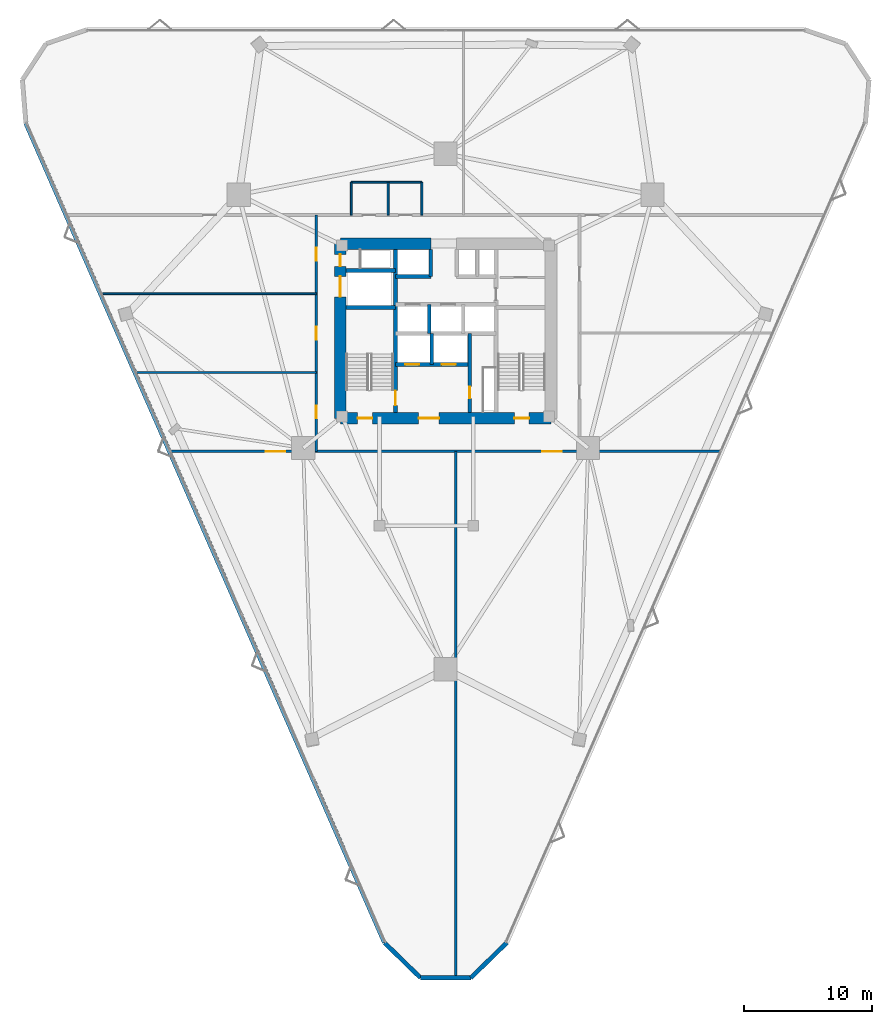
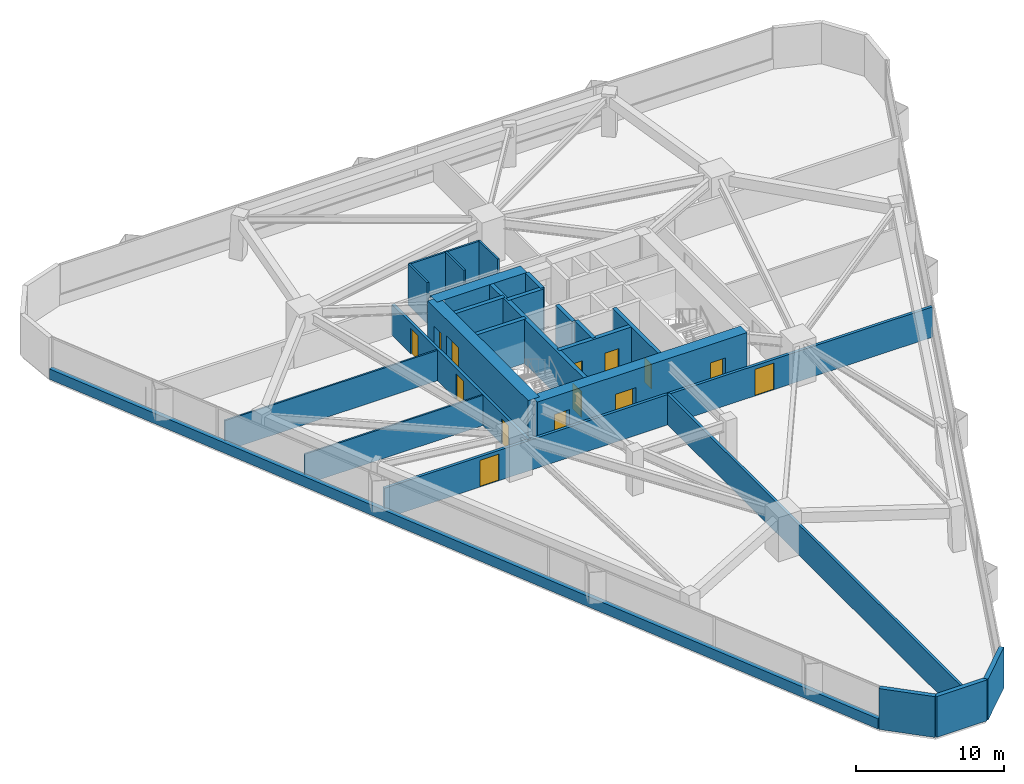
# One storey, part 17 of 20: 25 walls, 14 doors, 14 openings.
"""IFC4 building model written with IfcOpenShell, lengths in metres."""

from ifc_helpers import new_model, si_unit, direction, frame, frame_2d, origin, place, context, subcontext, project, spatial, rectangle, extrude, material, layer, layer_set, type_object, element, fill, save


model = new_model("IFC4")

# Units and contexts
model_context = context("Model", 3, precision=1e-05, world=origin(), true_north=direction((0.0, 1.0)))
body_context = subcontext(model_context, "Body", "Model", "MODEL_VIEW")
ifc_project = project(units=[si_unit("LENGTHUNIT", "METRE"), si_unit("AREAUNIT", "SQUARE_METRE"), si_unit("VOLUMEUNIT", "CUBIC_METRE"), si_unit("PLANEANGLEUNIT", "RADIAN"), si_unit("MASSUNIT", "GRAM", prefix="KILO")], contexts=[model_context])

# Site, building, storey
site_placement = place(None, origin())
site = spatial("IfcSite", under=ifc_project, at=site_placement, CompositionType="ELEMENT")
building_placement = place(site_placement, origin())
building = spatial("IfcBuilding", under=site, at=building_placement, Name="Talyreon Biosciences Tower", CompositionType="ELEMENT")
storey_placement = place(building_placement, frame((0.0, 0.0, 59.300048828125)))
storey = spatial("IfcBuildingStorey", under=building, at=storey_placement, Name="L15", CompositionType="ELEMENT", Elevation=59.300048828125)

# Walls
ifc_material_1 = material(Name="Gypsum fireboard acoustic stud", Category="gypsum")
ifc_layer_1 = layer(ifc_material_1, 0.199951171875)
ifc_layer_set_1 = layer_set([ifc_layer_1], Name="Gypsum fireboard acoustic stud")
wall_type_1 = type_object("IfcWallType", Name="ChemControlPartition_200", PredefinedType="PARTITIONING", material=ifc_layer_set_1)
wall_1_placement = place(storey_placement, frame((66.800048828125, 17.7431640625, 0.0), z_axis=(0.0, 0.0, 1.0), x_axis=(0.0, 1.0, 0.0)))
element("IfcWall", 1, at=wall_1_placement, inside=storey, type_object=wall_type_1, Name="L15 Interior Wall IW-L15-SDIV1", PredefinedType="PARTITIONING", context=body_context, shape_type="SweptSolid", body=[
    extrude(rectangle(XDim=40.88671875, YDim=0.199951171875, at=frame_2d((20.443359375, 0.0))), origin(), (0.0, 0.0, 1.0), 2.5048828125),
])
ifc_material_2 = material(Name="Concrete C50/60", Category="concrete")
ifc_layer_2 = layer(ifc_material_2, 0.280029296875)
ifc_layer_set_2 = layer_set([ifc_layer_2], Name="Concrete C50/60")
wall_type_2 = type_object("IfcWallType", Name="CoreShearWall_280", PredefinedType="SHEAR", material=ifc_layer_set_2)
wall_2_placement = place(storey_placement, frame((64.919921875, 65.39990234375, 0.0), z_axis=(0.0, 0.0, 1.0), x_axis=(0.0, 1.0, 0.0)))
element("IfcWall", 2, at=wall_2_placement, inside=storey, type_object=wall_type_2, Name="L15 Core Shaft Wall SWSHD1", PredefinedType="SHEAR", context=body_context, shape_type="SweptSolid", body=[
    extrude(rectangle(XDim=2.400146484375, YDim=0.280029296875, at=frame_2d((1.2001953125, 0.0))), origin(), (0.0, 0.0, 1.0), 3.64990234375),
])
wall_3_placement = place(storey_placement, frame((64.85009765625, 72.25, 0.0), z_axis=(0.0, 0.0, 1.0), x_axis=(0.0, 1.0, 0.0)))
element("IfcWall", 3, at=wall_3_placement, inside=storey, type_object=wall_type_2, Name="L15 Core Shaft Wall SWTHW", PredefinedType="SHEAR", context=body_context, shape_type="SweptSolid", body=[
    extrude(rectangle(XDim=2.10009765625, YDim=0.280029296875, at=frame_2d((1.050048828125, 0.0))), origin(), (0.0, 0.0, 1.0), 3.64990234375),
])

# Wall, opening, door
wall_4_placement = place(storey_placement, frame((67.8798828125, 61.64990234375, 0.0), z_axis=(0.0, 0.0, 1.0), x_axis=(0.0, 1.0, 0.0)))
wall_4 = element("IfcWall", 4, at=wall_4_placement, inside=storey, type_object=wall_type_2, Name="L15 Core Shaft Wall SWFFE", PredefinedType="SHEAR", context=body_context, shape_type="SweptSolid", body=[
    extrude(rectangle(XDim=6.150146484375, YDim=0.280029296875, at=frame_2d((3.0751953125, 0.0))), origin(), (0.0, 0.0, 1.0), 3.64990234375),
])
opening_1_placement = place(wall_4_placement, frame((1.10009765625, 0.0, 0.0)))
opening_1 = element("IfcOpeningElement", 5, at=opening_1_placement, cuts=wall_4, Name="Opening DR-L15-RSE", PredefinedType="OPENING", context=body_context, shape_type="SweptSolid", body=[
    extrude(rectangle(XDim=0.919921875, YDim=2.050048828125, at=frame_2d((0.4599609375, 1.02490234375))), frame((0.0, 0.14990234375, 0.0), z_axis=(0.0, -1.0, 0.0), x_axis=(1.0, 0.0, 0.0)), (0.0, 0.0, 1.0), 0.300048828125),
])
ifc_material_3 = material(Name="Painted steel fire-rated riser door", Category="steel")
door_type_1 = type_object("IfcDoorType", Name="RiserPlantAccessDoor_920x2050", OperationType="NOTDEFINED", PredefinedType="DOOR", material=ifc_material_3)
door_1_placement = place(opening_1_placement, origin())
door_1 = element("IfcDoor", 6, at=door_1_placement, inside=storey, type_object=door_type_1, Name="L15 Core Door DR-L15-RSE", OperationType="SINGLE_SWING_RIGHT", OverallHeight=2.050048828125, OverallWidth=0.919921875, PredefinedType="DOOR", context=body_context, shape_type="SweptSolid", body=[
    extrude(rectangle(XDim=0.919921875, YDim=2.050048828125, at=frame_2d((0.4599609375, 1.02490234375))), frame((0.0, 0.02490234375, 0.0), z_axis=(0.0, -1.0, 0.0), x_axis=(1.0, 0.0, 0.0)), (0.0, 0.0, 1.0), 0.050048828125),
])
fill(opening_1, door_1)

# Wall
wall_5_placement = place(storey_placement, frame((64.719970703125, 67.800048828125, 0.0), z_axis=(0.0, 0.0, 1.0), x_axis=(0.0, 1.0, 0.0)))
element("IfcWall", 7, at=wall_5_placement, inside=storey, type_object=wall_type_2, Name="L15 Core Shaft Wall SWPLD", PredefinedType="SHEAR", context=body_context, shape_type="SweptSolid", body=[
    extrude(rectangle(XDim=2.25, YDim=0.280029296875, at=frame_2d((1.125, 0.0))), origin(), (0.0, 0.0, 1.0), 3.64990234375),
])

# Wall, opening, door
ifc_layer_3 = layer(ifc_material_2, 0.320068359375)
ifc_layer_set_3 = layer_set([ifc_layer_3], Name="Concrete C50/60")
wall_type_3 = type_object("IfcWallType", Name="CoreShearWall_320", PredefinedType="SHEAR", material=ifc_layer_set_3)
wall_6_placement = place(storey_placement, frame((62.090087890625, 61.64990234375, 0.0), z_axis=(0.0, 0.0, 1.0), x_axis=(0.0, 1.0, 0.0)))
wall_6 = element("IfcWall", 8, at=wall_6_placement, inside=storey, type_object=wall_type_3, Name="L15 Core Shaft Wall SW1E", PredefinedType="SHEAR", context=body_context, shape_type="SweptSolid", body=[
    extrude(rectangle(XDim=12.7001953125, YDim=0.320068359375, at=frame_2d((6.35009765625, 0.0))), origin(), (0.0, 0.0, 1.0), 3.64990234375),
])
opening_2_placement = place(wall_6_placement, frame((0.550048828125, 0.0, 0.0)))
opening_2 = element("IfcOpeningElement", 9, at=opening_2_placement, cuts=wall_6, Name="Opening DR-L15-FF-ST1", PredefinedType="OPENING", context=body_context, shape_type="SweptSolid", body=[
    extrude(rectangle(XDim=1.14990234375, YDim=2.14990234375, at=frame_2d((0.574951171875, 1.074951171875))), frame((0.0, 0.169921875, 0.0), z_axis=(0.0, -1.0, 0.0), x_axis=(1.0, 0.0, 0.0)), (0.0, 0.0, 1.0), 0.340087890625),
])
ifc_material_4 = material(Name="Painted steel fire door", Category="steel")
door_type_2 = type_object("IfcDoorType", Name="StairShaftFireDoor_1150x2150", OperationType="NOTDEFINED", PredefinedType="DOOR", material=ifc_material_4)
door_2_placement = place(opening_2_placement, origin())
door_2 = element("IfcDoor", 10, at=door_2_placement, inside=storey, type_object=door_type_2, Name="L15 Core Door DR-L15-FF-ST1", OperationType="SINGLE_SWING_LEFT", OverallHeight=2.14990234375, OverallWidth=1.14990234375, PredefinedType="DOOR", context=body_context, shape_type="SweptSolid", body=[
    extrude(rectangle(XDim=1.14990234375, YDim=2.14990234375, at=frame_2d((0.574951171875, 1.074951171875))), frame((0.0, 0.02490234375, 0.0), z_axis=(0.0, -1.0, 0.0), x_axis=(1.0, 0.0, 0.0)), (0.0, 0.0, 1.0), 0.050048828125),
])
fill(opening_2, door_2)

# Walls
for number, where, z_axis, x_axis, name in (
    (11, (58.25, 69.81005859375, 0.0), (0.0, 0.0, 1.0), (1.0, 0.0, 0.0), "L15 Core Shaft Wall SW1N"),
    (12, (58.25, 72.699951171875, 0.0), (0.0, 0.0, 1.0), (1.0, 0.0, 0.0), "L15 Core Shaft Wall SWGLN"),
):
    element("IfcWall", number, at=place(storey_placement, frame(where, z_axis=z_axis, x_axis=x_axis)), inside=storey, type_object=wall_type_3, Name=name, PredefinedType="SHEAR", context=body_context, shape_type="SweptSolid", body=[
        extrude(rectangle(XDim=3.840087890625, YDim=0.320068359375, at=frame_2d((1.919921875, 0.0))), origin(), (0.0, 0.0, 1.0), 3.64990234375),
    ])
wall_7_placement = place(storey_placement, frame((62.090087890625, 72.25, 0.0), z_axis=(0.0, 0.0, 1.0), x_axis=(1.0, 0.0, 0.0)))
element("IfcWall", 13, at=wall_7_placement, inside=storey, type_object=wall_type_3, Name="L15 Core Shaft Wall SWNPW", PredefinedType="SHEAR", context=body_context, shape_type="SweptSolid", body=[
    extrude(rectangle(XDim=2.760009765625, YDim=0.320068359375, at=frame_2d((1.3798828125, 0.0))), origin(), (0.0, 0.0, 1.0), 3.64990234375),
])

# Wall, openings, doors
wall_8_placement = place(storey_placement, frame((62.090087890625, 65.39990234375, 0.0), z_axis=(0.0, 0.0, 1.0), x_axis=(1.0, 0.0, 0.0)))
wall_8 = element("IfcWall", 14, at=wall_8_placement, inside=storey, type_object=wall_type_3, Name="L15 Core Shaft Wall SWFFN", PredefinedType="SHEAR", context=body_context, shape_type="SweptSolid", body=[
    extrude(rectangle(XDim=5.789794921875, YDim=0.320068359375, at=frame_2d((2.89501953125, 0.0))), origin(), (0.0, 0.0, 1.0), 3.64990234375),
])
opening_3_placement = place(wall_8_placement, frame((0.75, 0.0, 0.0)))
opening_3 = element("IfcOpeningElement", 15, at=opening_3_placement, cuts=wall_8, Name="Opening LD-L15-FL1", PredefinedType="OPENING", context=body_context, shape_type="SweptSolid", body=[
    extrude(rectangle(XDim=1.10009765625, YDim=2.199951171875, at=frame_2d((0.550048828125, 1.10009765625))), frame((0.0, 0.169921875, 0.0), z_axis=(0.0, -1.0, 0.0), x_axis=(1.0, 0.0, 0.0)), (0.0, 0.0, 1.0), 0.340087890625),
])
opening_4_placement = place(wall_8_placement, frame((3.60009765625, 0.0, 0.0)))
opening_4 = element("IfcOpeningElement", 16, at=opening_4_placement, cuts=wall_8, Name="Opening LD-L15-FL2", PredefinedType="OPENING", context=body_context, shape_type="SweptSolid", body=[
    extrude(rectangle(XDim=1.10009765625, YDim=2.199951171875, at=frame_2d((0.550048828125, 1.10009765625))), frame((0.0, 0.169921875, 0.0), z_axis=(0.0, -1.0, 0.0), x_axis=(1.0, 0.0, 0.0)), (0.0, 0.0, 1.0), 0.340087890625),
])
ifc_material_5 = material(Name="Brushed stainless-steel lift landing door", Category="steel")
door_type_3 = type_object("IfcDoorType", Name="LiftSlidingLandingDoor_1100x2200", OperationType="SLIDING_TO_LEFT", PredefinedType="DOOR", material=ifc_material_5)
door_3_placement = place(opening_3_placement, origin())
door_3 = element("IfcDoor", 17, at=door_3_placement, inside=storey, type_object=door_type_3, Name="L15 Core Door LD-L15-FL1", OperationType="SLIDING_TO_LEFT", OverallHeight=2.199951171875, OverallWidth=1.10009765625, PredefinedType="DOOR", context=body_context, shape_type="SweptSolid", body=[
    extrude(rectangle(XDim=1.10009765625, YDim=2.199951171875, at=frame_2d((0.550048828125, 1.10009765625))), frame((0.0, 0.02490234375, 0.0), z_axis=(0.0, -1.0, 0.0), x_axis=(1.0, 0.0, 0.0)), (0.0, 0.0, 1.0), 0.050048828125),
])
fill(opening_3, door_3)
door_4_placement = place(opening_4_placement, origin())
door_4 = element("IfcDoor", 18, at=door_4_placement, inside=storey, type_object=door_type_3, Name="L15 Core Door LD-L15-FL2", OperationType="SLIDING_TO_LEFT", OverallHeight=2.199951171875, OverallWidth=1.10009765625, PredefinedType="DOOR", context=body_context, shape_type="SweptSolid", body=[
    extrude(rectangle(XDim=1.10009765625, YDim=2.199951171875, at=frame_2d((0.550048828125, 1.10009765625))), frame((0.0, 0.02490234375, 0.0), z_axis=(0.0, -1.0, 0.0), x_axis=(1.0, 0.0, 0.0)), (0.0, 0.0, 1.0), 0.050048828125),
])
fill(opening_4, door_4)

ifc_material_6 = material(Name="Concrete C60/75", Category="concrete")
ifc_layer_4 = layer(ifc_material_6, 0.89990234375)
ifc_layer_set_4 = layer_set([ifc_layer_4], Name="Concrete C60/75")
wall_type_4 = type_object("IfcWallType", Name="CoreShearWall_900", PredefinedType="SHEAR", material=ifc_layer_set_4)
wall_9_placement = place(storey_placement, frame((57.800048828125, 61.199951171875, 0.0), z_axis=(0.0, 0.0, 1.0), x_axis=(1.0, 0.0, 0.0)))
wall_9 = element("IfcWall", 19, at=wall_9_placement, inside=storey, type_object=wall_type_4, Name="L15 Core Shear Wall S", PredefinedType="SHEAR", context=body_context, shape_type="SweptSolid", body=[
    extrude(rectangle(XDim=16.39990234375, YDim=0.89990234375, at=frame_2d((8.199951171875, 0.0))), origin(), (0.0, 0.0, 1.0), 3.64990234375),
])
opening_5_placement = place(wall_9_placement, frame((1.35009765625, 0.0, 0.0)))
opening_5 = element("IfcOpeningElement", 20, at=opening_5_placement, cuts=wall_9, Name="Opening DR-L15-ST1", PredefinedType="OPENING", context=body_context, shape_type="SweptSolid", body=[
    extrude(rectangle(XDim=1.14990234375, YDim=2.14990234375, at=frame_2d((0.574951171875, 1.074951171875))), frame((0.0, 0.4599609375, 0.0), z_axis=(0.0, -1.0, 0.0), x_axis=(1.0, 0.0, 0.0)), (0.0, 0.0, 1.0), 0.919921875),
])
opening_6_placement = place(wall_9_placement, frame((6.10009765625, 0.0, 0.0)))
opening_6 = element("IfcOpeningElement", 21, at=opening_6_placement, cuts=wall_9, Name="Opening DR-L15-FFL", PredefinedType="OPENING", context=body_context, shape_type="SweptSolid", body=[
    extrude(rectangle(XDim=1.60009765625, YDim=2.14990234375, at=frame_2d((0.800048828125, 1.074951171875))), frame((0.0, 0.4599609375, 0.0), z_axis=(0.0, -1.0, 0.0), x_axis=(1.0, 0.0, 0.0)), (0.0, 0.0, 1.0), 0.919921875),
])
opening_7_placement = place(wall_9_placement, frame((13.550048828125, 0.0, 0.0)))
opening_7 = element("IfcOpeningElement", 22, at=opening_7_placement, cuts=wall_9, Name="Opening DR-L15-ST2", PredefinedType="OPENING", context=body_context, shape_type="SweptSolid", body=[
    extrude(rectangle(XDim=1.14990234375, YDim=2.14990234375, at=frame_2d((0.574951171875, 1.074951171875))), frame((0.0, 0.4599609375, 0.0), z_axis=(0.0, -1.0, 0.0), x_axis=(1.0, 0.0, 0.0)), (0.0, 0.0, 1.0), 0.919921875),
])
ifc_material_7 = material(Name="Painted steel smoke-seal fire door", Category="steel")
door_type_4 = type_object("IfcDoorType", Name="FirefightingLobbyDoubleDoor_1600x2150", OperationType="DOUBLE_DOOR_SINGLE_SWING", PredefinedType="DOOR", material=ifc_material_7)
door_5_placement = place(opening_6_placement, origin())
door_5 = element("IfcDoor", 23, at=door_5_placement, inside=storey, type_object=door_type_4, Name="L15 Core Door DR-L15-FFL", OperationType="DOUBLE_DOOR_SINGLE_SWING", OverallHeight=2.14990234375, OverallWidth=1.60009765625, PredefinedType="DOOR", context=body_context, shape_type="SweptSolid", body=[
    extrude(rectangle(XDim=1.60009765625, YDim=2.14990234375, at=frame_2d((0.800048828125, 1.074951171875))), frame((0.0, 0.02490234375, 0.0), z_axis=(0.0, -1.0, 0.0), x_axis=(1.0, 0.0, 0.0)), (0.0, 0.0, 1.0), 0.050048828125),
])
fill(opening_6, door_5)
door_6_placement = place(opening_5_placement, origin())
door_6 = element("IfcDoor", 24, at=door_6_placement, inside=storey, type_object=door_type_2, Name="L15 Core Door DR-L15-ST1", OperationType="SINGLE_SWING_LEFT", OverallHeight=2.14990234375, OverallWidth=1.14990234375, PredefinedType="DOOR", context=body_context, shape_type="SweptSolid", body=[
    extrude(rectangle(XDim=1.14990234375, YDim=2.14990234375, at=frame_2d((0.574951171875, 1.074951171875))), frame((0.0, 0.02490234375, 0.0), z_axis=(0.0, -1.0, 0.0), x_axis=(1.0, 0.0, 0.0)), (0.0, 0.0, 1.0), 0.050048828125),
])
fill(opening_5, door_6)
door_7_placement = place(opening_7_placement, origin())
door_7 = element("IfcDoor", 25, at=door_7_placement, inside=storey, type_object=door_type_2, Name="L15 Core Door DR-L15-ST2", OperationType="SINGLE_SWING_RIGHT", OverallHeight=2.14990234375, OverallWidth=1.14990234375, PredefinedType="DOOR", context=body_context, shape_type="SweptSolid", body=[
    extrude(rectangle(XDim=1.14990234375, YDim=2.14990234375, at=frame_2d((0.574951171875, 1.074951171875))), frame((0.0, 0.02490234375, 0.0), z_axis=(0.0, -1.0, 0.0), x_axis=(1.0, 0.0, 0.0)), (0.0, 0.0, 1.0), 0.050048828125),
])
fill(opening_7, door_7)

# Wall
wall_10_placement = place(storey_placement, frame((64.85009765625, 74.800048828125, 0.0), z_axis=(0.0, 0.0, 1.0), x_axis=(-1.0, 0.0, 0.0)))
element("IfcWall", 26, at=wall_10_placement, inside=storey, type_object=wall_type_4, Name="L15 Core Shear Wall NW", PredefinedType="SHEAR", context=body_context, shape_type="SweptSolid", body=[
    extrude(rectangle(XDim=7.050048828125, YDim=0.89990234375, at=frame_2d((3.52490234375, 0.0))), origin(), (0.0, 0.0, 1.0), 3.64990234375),
])

# Wall, openings, doors
wall_11_placement = place(storey_placement, frame((57.800048828125, 74.800048828125, 0.0), z_axis=(0.0, 0.0, 1.0), x_axis=(0.0, -1.0, 0.0)))
wall_11 = element("IfcWall", 27, at=wall_11_placement, inside=storey, type_object=wall_type_4, Name="L15 Core Shear Wall W", PredefinedType="SHEAR", context=body_context, shape_type="SweptSolid", body=[
    extrude(rectangle(XDim=13.60009765625, YDim=0.89990234375, at=frame_2d((6.800048828125, 0.0))), origin(), (0.0, 0.0, 1.0), 3.64990234375),
])
opening_8_placement = place(wall_11_placement, frame((0.85009765625, 0.0, 0.0)))
opening_8 = element("IfcOpeningElement", 28, at=opening_8_placement, cuts=wall_11, Name="Opening DR-L15-RSW", PredefinedType="OPENING", context=body_context, shape_type="SweptSolid", body=[
    extrude(rectangle(XDim=0.919921875, YDim=2.050048828125, at=frame_2d((0.4599609375, 1.02490234375))), frame((0.0, 0.4599609375, 0.0), z_axis=(0.0, -1.0, 0.0), x_axis=(1.0, 0.0, 0.0)), (0.0, 0.0, 1.0), 0.919921875),
])
opening_9_placement = place(wall_11_placement, frame((2.550048828125, 0.0, 0.0)))
opening_9 = element("IfcOpeningElement", 29, at=opening_9_placement, cuts=wall_11, Name="Opening LD-L15-GL1", PredefinedType="OPENING", context=body_context, shape_type="SweptSolid", body=[
    extrude(rectangle(XDim=1.60009765625, YDim=2.300048828125, at=frame_2d((0.800048828125, 1.14990234375))), frame((0.0, 0.4599609375, 0.0), z_axis=(0.0, -1.0, 0.0), x_axis=(1.0, 0.0, 0.0)), (0.0, 0.0, 1.0), 0.919921875),
])
ifc_material_8 = material(Name="Heavy-duty stainless-steel goods lift door", Category="steel")
door_type_5 = type_object("IfcDoorType", Name="GoodsLiftSlidingDoor_1600x2300", OperationType="DOUBLE_DOOR_SLIDING", PredefinedType="DOOR", material=ifc_material_8)
door_8_placement = place(opening_9_placement, origin())
door_8 = element("IfcDoor", 30, at=door_8_placement, inside=storey, type_object=door_type_5, Name="L15 Core Door LD-L15-GL1", OperationType="DOUBLE_DOOR_SLIDING", OverallHeight=2.300048828125, OverallWidth=1.60009765625, PredefinedType="DOOR", context=body_context, shape_type="SweptSolid", body=[
    extrude(rectangle(XDim=1.60009765625, YDim=2.300048828125, at=frame_2d((0.800048828125, 1.14990234375))), frame((0.0, 0.02490234375, 0.0), z_axis=(0.0, -1.0, 0.0), x_axis=(1.0, 0.0, 0.0)), (0.0, 0.0, 1.0), 0.050048828125),
])
fill(opening_9, door_8)
door_9_placement = place(opening_8_placement, origin())
door_9 = element("IfcDoor", 31, at=door_9_placement, inside=storey, type_object=door_type_1, Name="L15 Core Door DR-L15-RSW", OperationType="SINGLE_SWING_LEFT", OverallHeight=2.050048828125, OverallWidth=0.919921875, PredefinedType="DOOR", context=body_context, shape_type="SweptSolid", body=[
    extrude(rectangle(XDim=0.919921875, YDim=2.050048828125, at=frame_2d((0.4599609375, 1.02490234375))), frame((0.0, 0.02490234375, 0.0), z_axis=(0.0, -1.0, 0.0), x_axis=(1.0, 0.0, 0.0)), (0.0, 0.0, 1.0), 0.050048828125),
])
fill(opening_8, door_9)

ifc_layer_5 = layer(ifc_material_1, 0.219970703125)
ifc_layer_set_5 = layer_set([ifc_layer_5], Name="Gypsum fireboard acoustic stud")
wall_type_5 = type_object("IfcWallType", Name="CorridorRatedPartition_220", PredefinedType="PARTITIONING", material=ifc_layer_set_5)
wall_12_placement = place(storey_placement, frame((44.591796875, 58.6298828125, 0.0), z_axis=(0.0, 0.0, 1.0), x_axis=(1.0, 0.0, 0.0)))
wall_12 = element("IfcWall", 32, at=wall_12_placement, inside=storey, type_object=wall_type_5, Name="L15 Interior Wall IW-L15-COR-S", PredefinedType="PARTITIONING", context=body_context, shape_type="SweptSolid", body=[
    extrude(rectangle(XDim=42.81640625, YDim=0.219970703125, at=frame_2d((21.408203125, 0.0))), origin(), (0.0, 0.0, 1.0), 2.5048828125),
])
opening_10_placement = place(wall_12_placement, frame((7.426025390625, 0.0, 0.0)))
opening_10 = element("IfcOpeningElement", 33, at=opening_10_placement, cuts=wall_12, Name="Opening DR-L15-S1A", PredefinedType="OPENING", context=body_context, shape_type="SweptSolid", body=[
    extrude(rectangle(XDim=1.5, YDim=2.199951171875, at=frame_2d((0.75, 1.10009765625))), frame((0.0, 0.119873046875, 0.0), z_axis=(0.0, -1.0, 0.0), x_axis=(1.0, 0.0, 0.0)), (0.0, 0.0, 1.0), 0.239990234375),
])
opening_11_placement = place(wall_12_placement, frame((28.924072265625, 0.0, 0.0)))
opening_11 = element("IfcOpeningElement", 34, at=opening_11_placement, cuts=wall_12, Name="Opening DR-L15-S2A", PredefinedType="OPENING", context=body_context, shape_type="SweptSolid", body=[
    extrude(rectangle(XDim=1.5, YDim=2.199951171875, at=frame_2d((0.75, 1.10009765625))), frame((0.0, 0.119873046875, 0.0), z_axis=(0.0, -1.0, 0.0), x_axis=(1.0, 0.0, 0.0)), (0.0, 0.0, 1.0), 0.239990234375),
])
ifc_material_9 = material(Name="Vision-panel steel laboratory fire door", Category="steel")
door_type_6 = type_object("IfcDoorType", Name="WetLabDoubleLeafDoor_1500x2200", OperationType="DOUBLE_DOOR_SINGLE_SWING", PredefinedType="DOOR", material=ifc_material_9)
door_10_placement = place(opening_10_placement, origin())
door_10 = element("IfcDoor", 35, at=door_10_placement, inside=storey, type_object=door_type_6, Name="L15 Interior Door DR-L15-S1A", OperationType="DOUBLE_DOOR_SINGLE_SWING", OverallHeight=2.199951171875, OverallWidth=1.5, PredefinedType="DOOR", context=body_context, shape_type="SweptSolid", body=[
    extrude(rectangle(XDim=1.5, YDim=2.199951171875, at=frame_2d((0.75, 1.10009765625))), frame((0.0, 0.02490234375, 0.0), z_axis=(0.0, -1.0, 0.0), x_axis=(1.0, 0.0, 0.0)), (0.0, 0.0, 1.0), 0.050048828125),
])
fill(opening_10, door_10)
door_11_placement = place(opening_11_placement, origin())
door_11 = element("IfcDoor", 36, at=door_11_placement, inside=storey, type_object=door_type_6, Name="L15 Interior Door DR-L15-S2A", OperationType="DOUBLE_DOOR_SINGLE_SWING", OverallHeight=2.199951171875, OverallWidth=1.5, PredefinedType="DOOR", context=body_context, shape_type="SweptSolid", body=[
    extrude(rectangle(XDim=1.5, YDim=2.199951171875, at=frame_2d((0.75, 1.10009765625))), frame((0.0, 0.02490234375, 0.0), z_axis=(0.0, -1.0, 0.0), x_axis=(1.0, 0.0, 0.0)), (0.0, 0.0, 1.0), 0.050048828125),
])
fill(opening_11, door_11)

wall_13_placement = place(storey_placement, frame((55.929931640625, 58.6298828125, 0.0), z_axis=(0.0, 0.0, 1.0), x_axis=(0.0, 1.0, 0.0)))
wall_13 = element("IfcWall", 37, at=wall_13_placement, inside=storey, type_object=wall_type_5, Name="L15 Interior Wall IW-L15-COR-W", PredefinedType="PARTITIONING", context=body_context, shape_type="SweptSolid", body=[
    extrude(rectangle(XDim=18.39013671875, YDim=0.219970703125, at=frame_2d((9.195068359375, 0.0))), origin(), (0.0, 0.0, 1.0), 2.554931640625),
])
opening_12_placement = place(wall_13_placement, frame((2.56494140625, 0.0, 0.0)))
opening_12 = element("IfcOpeningElement", 38, at=opening_12_placement, cuts=wall_13, Name="Opening DR-L15-W1A", PredefinedType="OPENING", context=body_context, shape_type="SweptSolid", body=[
    extrude(rectangle(XDim=1.0, YDim=2.10009765625, at=frame_2d((0.5, 1.050048828125))), frame((0.0, 0.119873046875, 0.0), z_axis=(0.0, -1.0, 0.0), x_axis=(1.0, 0.0, 0.0)), (0.0, 0.0, 1.0), 0.239990234375),
])
opening_13_placement = place(wall_13_placement, frame((8.695068359375, 0.0, 0.0)))
opening_13 = element("IfcOpeningElement", 39, at=opening_13_placement, cuts=wall_13, Name="Opening DR-L15-W2A", PredefinedType="OPENING", context=body_context, shape_type="SweptSolid", body=[
    extrude(rectangle(XDim=1.0, YDim=2.10009765625, at=frame_2d((0.5, 1.050048828125))), frame((0.0, 0.119873046875, 0.0), z_axis=(0.0, -1.0, 0.0), x_axis=(1.0, 0.0, 0.0)), (0.0, 0.0, 1.0), 0.239990234375),
])
opening_14_placement = place(wall_13_placement, frame((14.824951171875, 0.0, 0.0)))
opening_14 = element("IfcOpeningElement", 40, at=opening_14_placement, cuts=wall_13, Name="Opening DR-L15-W3A", PredefinedType="OPENING", context=body_context, shape_type="SweptSolid", body=[
    extrude(rectangle(XDim=1.0, YDim=2.10009765625, at=frame_2d((0.5, 1.050048828125))), frame((0.0, 0.119873046875, 0.0), z_axis=(0.0, -1.0, 0.0), x_axis=(1.0, 0.0, 0.0)), (0.0, 0.0, 1.0), 0.239990234375),
])
ifc_material_10 = material(Name="Acoustic oak veneer office door", Category="wood")
door_type_7 = type_object("IfcDoorType", Name="WriteupOfficeDoor_1000x2100", OperationType="NOTDEFINED", PredefinedType="DOOR", material=ifc_material_10)
door_12_placement = place(opening_12_placement, origin())
door_12 = element("IfcDoor", 41, at=door_12_placement, inside=storey, type_object=door_type_7, Name="L15 Interior Door DR-L15-W1A", OperationType="SINGLE_SWING_LEFT", OverallHeight=2.10009765625, OverallWidth=1.0, PredefinedType="DOOR", context=body_context, shape_type="SweptSolid", body=[
    extrude(rectangle(XDim=1.0, YDim=2.10009765625, at=frame_2d((0.5, 1.050048828125))), frame((0.0, 0.02490234375, 0.0), z_axis=(0.0, -1.0, 0.0), x_axis=(1.0, 0.0, 0.0)), (0.0, 0.0, 1.0), 0.050048828125),
])
fill(opening_12, door_12)
door_13_placement = place(opening_13_placement, origin())
door_13 = element("IfcDoor", 42, at=door_13_placement, inside=storey, type_object=door_type_7, Name="L15 Interior Door DR-L15-W2A", OperationType="SINGLE_SWING_RIGHT", OverallHeight=2.10009765625, OverallWidth=1.0, PredefinedType="DOOR", context=body_context, shape_type="SweptSolid", body=[
    extrude(rectangle(XDim=1.0, YDim=2.10009765625, at=frame_2d((0.5, 1.050048828125))), frame((0.0, 0.02490234375, 0.0), z_axis=(0.0, -1.0, 0.0), x_axis=(1.0, 0.0, 0.0)), (0.0, 0.0, 1.0), 0.050048828125),
])
fill(opening_13, door_13)
door_14_placement = place(opening_14_placement, origin())
door_14 = element("IfcDoor", 43, at=door_14_placement, inside=storey, type_object=door_type_7, Name="L15 Interior Door DR-L15-W3A", OperationType="SINGLE_SWING_LEFT", OverallHeight=2.10009765625, OverallWidth=1.0, PredefinedType="DOOR", context=body_context, shape_type="SweptSolid", body=[
    extrude(rectangle(XDim=1.0, YDim=2.10009765625, at=frame_2d((0.5, 1.050048828125))), frame((0.0, 0.02490234375, 0.0), z_axis=(0.0, -1.0, 0.0), x_axis=(1.0, 0.0, 0.0)), (0.0, 0.0, 1.0), 0.050048828125),
])
fill(opening_14, door_14)

# Walls
ifc_material_11 = material(Name="Gypsum acoustic stud partition", Category="gypsum")
ifc_layer_6 = layer(ifc_material_11, 0.1298828125)
ifc_layer_set_6 = layer_set([ifc_layer_6], Name="Gypsum acoustic stud partition")
wall_type_6 = type_object("IfcWallType", Name="OfficeWriteupPartition_130", PredefinedType="PARTITIONING", material=ifc_layer_set_6)
wall_14_placement = place(storey_placement, frame((41.90869140625, 64.760009765625, 0.0), z_axis=(0.0, 0.0, 1.0), x_axis=(1.0, 0.0, 0.0)))
element("IfcWall", 44, at=wall_14_placement, inside=storey, type_object=wall_type_6, Name="L15 Interior Wall IW-L15-WDIV1", PredefinedType="PARTITIONING", context=body_context, shape_type="SweptSolid", body=[
    extrude(rectangle(XDim=14.021240234375, YDim=0.1298828125, at=frame_2d((7.0107421875, 0.0))), origin(), (0.0, 0.0, 1.0), 2.5048828125),
])
wall_15_placement = place(storey_placement, frame((39.2255859375, 70.889892578125, 0.0), z_axis=(0.0, 0.0, 1.0), x_axis=(1.0, 0.0, 0.0)))
element("IfcWall", 45, at=wall_15_placement, inside=storey, type_object=wall_type_6, Name="L15 Interior Wall IW-L15-WDIV2", PredefinedType="PARTITIONING", context=body_context, shape_type="SweptSolid", body=[
    extrude(rectangle(XDim=16.704345703125, YDim=0.1298828125, at=frame_2d((8.35205078125, 0.0))), origin(), (0.0, 0.0, 1.0), 2.5048828125),
])
ifc_material_12 = material(Name="Precast concrete C45/55", Category="concrete")
ifc_layer_7 = layer(ifc_material_12, 0.340087890625)
ifc_layer_set_7 = layer_set([ifc_layer_7], Name="Precast concrete C45/55")
wall_type_7 = type_object("IfcWallType", Name="PrecastConcreteSpandrelWall_340", PredefinedType="STANDARD", material=ifc_layer_set_7)
wall_16_placement = place(storey_placement, frame((61.236328125, 20.390380859375, 0.0), z_axis=(0.0, 0.0, 1.0), x_axis=(-0.400969676651, 0.916091326455, 0.0)))
element("IfcWall", 46, at=wall_16_placement, inside=storey, type_object=wall_type_7, Name="L15 Expressed Concrete Sill Wall 00", PredefinedType="STANDARD", context=body_context, shape_type="SweptSolid", body=[
    extrude(rectangle(XDim=69.6201171875, YDim=0.340087890625, at=frame_2d((34.81005859375, 0.0))), origin(), (0.0, 0.0, 1.0), 0.849853515625),
])
wall_17_placement = place(storey_placement, frame((70.763671875, 20.390380859375, 0.0), z_axis=(0.0, 0.0, 1.0), x_axis=(-0.716426907231, -0.697662157921, 0.0)))
element("IfcWall", 47, at=wall_17_placement, inside=storey, type_object=wall_type_7, Name="L15 Rounded-Corner Concrete Pier 09", PredefinedType="STANDARD", context=body_context, shape_type="SweptSolid", body=[
    extrude(rectangle(XDim=3.916259765625, YDim=0.340087890625, at=frame_2d((1.9580078125, 0.0))), origin(), (0.0, 0.0, 1.0), 3.375),
])
wall_18_placement = place(storey_placement, frame((67.9580078125, 17.658203125, 0.0), z_axis=(0.0, 0.0, 1.0), x_axis=(-1.0, 0.0, 0.0)))
element("IfcWall", 48, at=wall_18_placement, inside=storey, type_object=wall_type_7, Name="L15 Rounded-Corner Concrete Pier 10", PredefinedType="STANDARD", context=body_context, shape_type="SweptSolid", body=[
    extrude(rectangle(XDim=3.916015625, YDim=0.340087890625, at=frame_2d((1.9580078125, 0.0))), origin(), (0.0, 0.0, 1.0), 3.375),
])
wall_19_placement = place(storey_placement, frame((64.0419921875, 17.658203125, 0.0), z_axis=(0.0, 0.0, 1.0), x_axis=(-0.716426907231, 0.697662157921, 0.0)))
element("IfcWall", 49, at=wall_19_placement, inside=storey, type_object=wall_type_7, Name="L15 Rounded-Corner Concrete Pier 11", PredefinedType="STANDARD", context=body_context, shape_type="SweptSolid", body=[
    extrude(rectangle(XDim=3.916259765625, YDim=0.340087890625, at=frame_2d((1.9580078125, 0.0))), origin(), (0.0, 0.0, 1.0), 3.375),
])
ifc_material_13 = material(Name="Moisture-resistant cement-board stud", Category="gypsum")
ifc_layer_8 = layer(ifc_material_13, 0.14501953125)
ifc_layer_set_8 = layer_set([ifc_layer_8], Name="Moisture-resistant cement-board stud")
wall_type_8 = type_object("IfcWallType", Name="WetRoomPartition_145", PredefinedType="PARTITIONING", material=ifc_layer_set_8)
for number, where, z_axis, x_axis, name in (
    (50, (58.64990234375, 77.02001953125, 0.0), (0.0, 0.0, 1.0), (0.0, 1.0, 0.0), "L15 Interior Wall IW-L15-WCL"),
    (51, (61.52490234375, 77.02001953125, 0.0), (0.0, 0.0, 1.0), (0.0, 1.0, 0.0), "L15 Interior Wall IW-L15-WCM"),
    (52, (64.14990234375, 77.02001953125, 0.0), (0.0, 0.0, 1.0), (0.0, 1.0, 0.0), "L15 Interior Wall IW-L15-WCR"),
):
    element("IfcWall", number, at=place(storey_placement, frame(where, z_axis=z_axis, x_axis=x_axis)), inside=storey, type_object=wall_type_8, Name=name, PredefinedType="PARTITIONING", context=body_context, shape_type="SweptSolid", body=[
        extrude(rectangle(XDim=2.550048828125, YDim=0.14501953125, at=frame_2d((1.27490234375, 0.0))), origin(), (0.0, 0.0, 1.0), 3.375),
    ])
wall_20_placement = place(storey_placement, frame((58.64990234375, 79.570068359375, 0.0), z_axis=(0.0, 0.0, 1.0), x_axis=(1.0, 0.0, 0.0)))
element("IfcWall", 53, at=wall_20_placement, inside=storey, type_object=wall_type_8, Name="L15 Interior Wall IW-L15-WCT", PredefinedType="PARTITIONING", context=body_context, shape_type="SweptSolid", body=[
    extrude(rectangle(XDim=5.5, YDim=0.14501953125, at=frame_2d((2.75, 0.0))), origin(), (0.0, 0.0, 1.0), 3.375),
])

save(model, "model.ifc")
